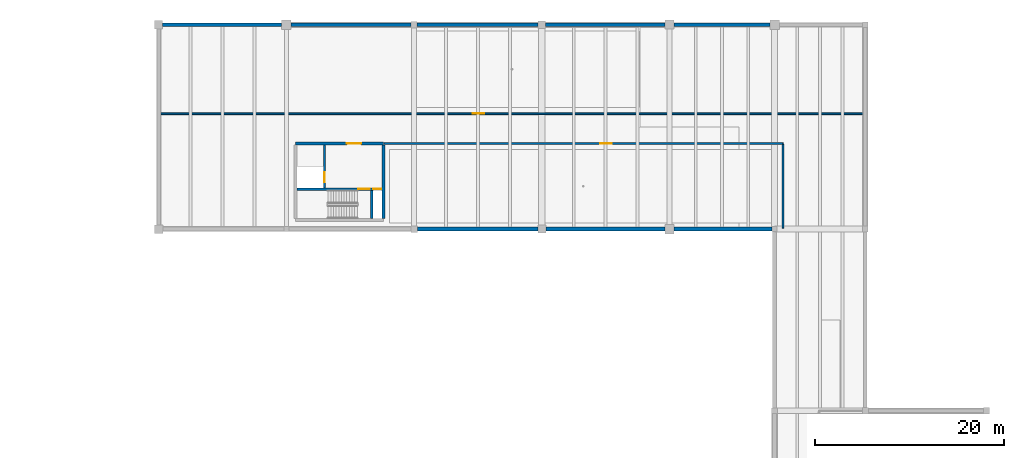
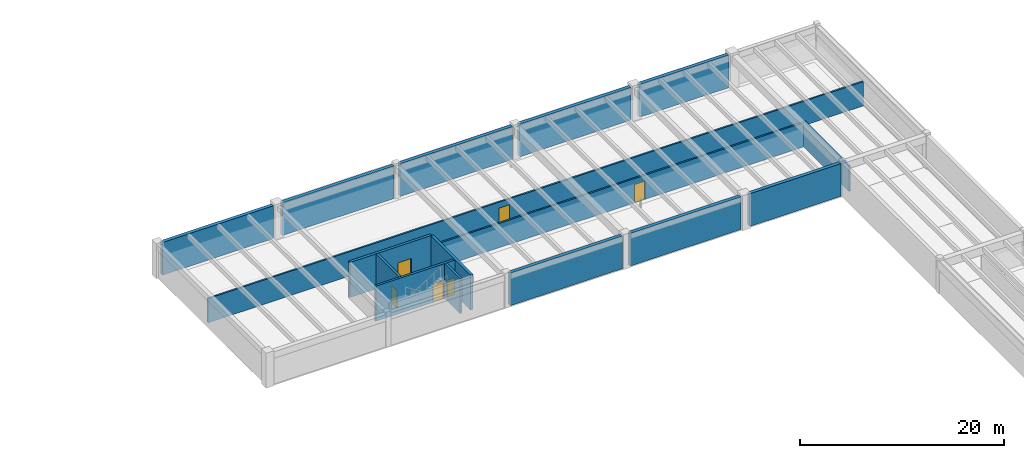
# One storey, part 13 of 28: 16 walls, 6 doors, 6 openings.
"""IFC4 building model written with IfcOpenShell, lengths in metres."""

from ifc_helpers import new_model, si_unit, direction, frame, frame_2d, origin, place, context, subcontext, project, spatial, rectangle, extrude, material, layer, layer_set, type_object, element, fill, save


model = new_model("IFC4")

# Units and contexts
model_context = context("Model", 3, precision=1e-05, world=origin(), true_north=direction((0.0, 1.0)))
body_context = subcontext(model_context, "Body", "Model", "MODEL_VIEW")
ifc_project = project(units=[si_unit("LENGTHUNIT", "METRE"), si_unit("AREAUNIT", "SQUARE_METRE"), si_unit("VOLUMEUNIT", "CUBIC_METRE"), si_unit("PLANEANGLEUNIT", "RADIAN"), si_unit("MASSUNIT", "GRAM", prefix="KILO")], contexts=[model_context])

# Site, building, storey
site_placement = place(None, origin())
site = spatial("IfcSite", under=ifc_project, at=site_placement, CompositionType="ELEMENT")
building_placement = place(site_placement, origin())
building = spatial("IfcBuilding", under=site, at=building_placement, Name="Fikremerkos Civic Library", CompositionType="ELEMENT")
storey_placement = place(building_placement, frame((0.0, 0.0, -4.199951171875)))
storey = spatial("IfcBuildingStorey", under=building, at=storey_placement, Name="B01", CompositionType="ELEMENT", Elevation=-4.199951171875)

# Walls
ifc_material_1 = material(Name="Concrete C40/50", Category="concrete")
ifc_layer_1 = layer(ifc_material_1, 0.39990234375, Name="Concrete C40/50")
ifc_layer_set_1 = layer_set([ifc_layer_1], Name="Concrete C40/50")
wall_type_1 = type_object("IfcWallType", Name="Basement retaining wall BRW-02 400", PredefinedType="USERDEFINED", material=ifc_layer_set_1)
wall_1_placement = place(storey_placement, frame((124.527099609375, 96.0, 0.0), z_axis=(0.0, 0.0, 1.0), x_axis=(-1.0, 0.0, 0.0)))
element("IfcWall", 1, at=wall_1_placement, inside=storey, type_object=wall_type_1, Name="Basement retaining wall BRW-02 B01 #119", ObjectType="RETAINING WALL", PredefinedType="USERDEFINED", context=body_context, shape_type="SweptSolid", body=[
    extrude(rectangle(XDim=10.3291015625, YDim=0.39990234375, at=frame_2d((5.16455078125, 0.0))), origin(), (0.0, 0.0, 1.0), 3.919921875),
])
wall_2_placement = place(storey_placement, frame((113.201904296875, 96.0, 0.0), z_axis=(0.0, 0.0, 1.0), x_axis=(-1.0, 0.0, 0.0)))
element("IfcWall", 2, at=wall_2_placement, inside=storey, type_object=wall_type_1, Name="Basement retaining wall BRW-02 B01 #120", ObjectType="RETAINING WALL", PredefinedType="USERDEFINED", context=body_context, shape_type="SweptSolid", body=[
    extrude(rectangle(XDim=12.578857421875, YDim=0.39990234375, at=frame_2d((6.28955078125, 0.0))), origin(), (0.0, 0.0, 1.0), 3.919921875),
])
wall_3_placement = place(storey_placement, frame((99.777099609375, 96.0, 0.0), z_axis=(0.0, 0.0, 1.0), x_axis=(-1.0, 0.0, 0.0)))
element("IfcWall", 3, at=wall_3_placement, inside=storey, type_object=wall_type_1, Name="Basement retaining wall BRW-02 B01 #121", ObjectType="RETAINING WALL", PredefinedType="USERDEFINED", context=body_context, shape_type="SweptSolid", body=[
    extrude(rectangle(XDim=12.72900390625, YDim=0.39990234375, at=frame_2d((6.364501953125, 0.0))), origin(), (0.0, 0.0, 1.0), 3.919921875),
])
wall_4_placement = place(storey_placement, frame((60.123046875, 117.60009765625, 0.0), z_axis=(0.0, 0.0, 1.0), x_axis=(1.0, 0.0, 0.0)))
element("IfcWall", 4, at=wall_4_placement, inside=storey, type_object=wall_type_1, Name="Basement retaining wall BRW-02 B01 #125", ObjectType="RETAINING WALL", PredefinedType="USERDEFINED", context=body_context, shape_type="SweptSolid", body=[
    extrude(rectangle(XDim=12.578857421875, YDim=0.39990234375, at=frame_2d((6.28955078125, 0.0))), origin(), (0.0, 0.0, 1.0), 3.919921875),
])
wall_5_placement = place(storey_placement, frame((73.697998046875, 117.60009765625, 0.0), z_axis=(0.0, 0.0, 1.0), x_axis=(1.0, 0.0, 0.0)))
element("IfcWall", 5, at=wall_5_placement, inside=storey, type_object=wall_type_1, Name="Basement retaining wall BRW-02 B01 #126", ObjectType="RETAINING WALL", PredefinedType="USERDEFINED", context=body_context, shape_type="SweptSolid", body=[
    extrude(rectangle(XDim=12.678955078125, YDim=0.39990234375, at=frame_2d((6.33935546875, 0.0))), origin(), (0.0, 0.0, 1.0), 3.919921875),
])
wall_6_placement = place(storey_placement, frame((87.02294921875, 117.60009765625, 0.0), z_axis=(0.0, 0.0, 1.0), x_axis=(1.0, 0.0, 0.0)))
element("IfcWall", 6, at=wall_6_placement, inside=storey, type_object=wall_type_1, Name="Basement retaining wall BRW-02 B01 #127", ObjectType="RETAINING WALL", PredefinedType="USERDEFINED", context=body_context, shape_type="SweptSolid", body=[
    extrude(rectangle(XDim=12.779052734375, YDim=0.39990234375, at=frame_2d((6.3896484375, 0.0))), origin(), (0.0, 0.0, 1.0), 3.919921875),
])
wall_7_placement = place(storey_placement, frame((100.597900390625, 117.60009765625, 0.0), z_axis=(0.0, 0.0, 1.0), x_axis=(1.0, 0.0, 0.0)))
element("IfcWall", 7, at=wall_7_placement, inside=storey, type_object=wall_type_1, Name="Basement retaining wall BRW-02 B01 #128", ObjectType="RETAINING WALL", PredefinedType="USERDEFINED", context=body_context, shape_type="SweptSolid", body=[
    extrude(rectangle(XDim=12.629150390625, YDim=0.39990234375, at=frame_2d((6.314453125, 0.0))), origin(), (0.0, 0.0, 1.0), 3.919921875),
])
wall_8_placement = place(storey_placement, frame((114.173095703125, 117.60009765625, 0.0), z_axis=(0.0, 0.0, 1.0), x_axis=(1.0, 0.0, 0.0)))
element("IfcWall", 8, at=wall_8_placement, inside=storey, type_object=wall_type_1, Name="Basement retaining wall BRW-02 B01 #129", ObjectType="RETAINING WALL", PredefinedType="USERDEFINED", context=body_context, shape_type="SweptSolid", body=[
    extrude(rectangle(XDim=10.12890625, YDim=0.39990234375, at=frame_2d((5.064453125, 0.0))), origin(), (0.0, 0.0, 1.0), 3.919921875),
])

# Wall, opening, door
ifc_layer_2 = layer(ifc_material_1, 0.300048828125, Name="Concrete C40/50")
ifc_layer_set_2 = layer_set([ifc_layer_2], Name="Concrete C40/50")
wall_type_2 = type_object("IfcWallType", Name="Core shear wall CSW-01 300", PredefinedType="SHEAR", material=ifc_layer_set_2)
wall_9_placement = place(storey_placement, frame((74.14990234375, 105.050048828125, 0.0), z_axis=(0.0, 0.0, 1.0), x_axis=(1.0, 0.0, 0.0)))
wall_9 = element("IfcWall", 9, at=wall_9_placement, inside=storey, type_object=wall_type_2, Name="Core K5 north shear wall B01", PredefinedType="SHEAR", context=body_context, shape_type="SweptSolid", body=[
    extrude(rectangle(XDim=9.300048828125, YDim=0.300048828125, at=frame_2d((4.64990234375, 0.0))), origin(), (0.0, 0.0, 1.0), 4.199951171875),
])
opening_1_placement = place(wall_9_placement, frame((5.449951171875, 0.0, 0.0)))
opening_1 = element("IfcOpeningElement", 10, at=opening_1_placement, cuts=wall_9, Name="Opening D119", PredefinedType="OPENING", context=body_context, shape_type="SweptSolid", body=[
    extrude(rectangle(XDim=1.5, YDim=2.25, at=frame_2d((0.75, 1.125))), frame((0.0, 0.159912109375, 0.0), z_axis=(0.0, -1.0, 0.0), x_axis=(1.0, 0.0, 0.0)), (0.0, 0.0, 1.0), 0.320068359375),
])
ifc_material_2 = material(Name="Hardwood timber and acoustic glass", Category="wood")
door_type_1 = type_object("IfcDoorType", Name="Pedestrian door DT-05 1500x2250", OperationType="NOTDEFINED", PredefinedType="DOOR", material=ifc_material_2)
door_1_placement = place(opening_1_placement, origin())
door_1 = element("IfcDoor", 11, at=door_1_placement, inside=storey, type_object=door_type_1, Name="Core K5 lobby fire door D119 B01", OperationType="SINGLE_SWING_LEFT", OverallHeight=2.25, OverallWidth=1.5, PredefinedType="DOOR", context=body_context, shape_type="SweptSolid", body=[
    extrude(rectangle(XDim=1.5, YDim=2.25, at=frame_2d((0.75, 1.125))), frame((0.0, 0.032470703125, 0.0), z_axis=(0.0, -1.0, 0.0), x_axis=(1.0, 0.0, 0.0)), (0.0, 0.0, 1.0), 0.06494140625),
])
fill(opening_1, door_1)

# Wall
wall_10_placement = place(storey_placement, frame((83.449951171875, 104.89794921875, 0.0), z_axis=(0.0, 0.0, 1.0), x_axis=(0.0, -1.0, 0.0)))
element("IfcWall", 12, at=wall_10_placement, inside=storey, type_object=wall_type_2, Name="Core K5 east shear wall B01", PredefinedType="SHEAR", context=body_context, shape_type="SweptSolid", body=[
    extrude(rectangle(XDim=7.7958984375, YDim=0.300048828125, at=frame_2d((3.89794921875, 0.0))), origin(), (0.0, 0.0, 1.0), 4.199951171875),
])

# Wall, openings, doors
ifc_layer_3 = layer(ifc_material_1, 0.260009765625, Name="Concrete C40/50")
ifc_layer_set_3 = layer_set([ifc_layer_3], Name="Concrete C40/50")
wall_type_3 = type_object("IfcWallType", Name="Core shear wall CSW-02 260", PredefinedType="SHEAR", material=ifc_layer_set_3)
wall_11_placement = place(storey_placement, frame((74.302001953125, 100.22998046875, 0.0), z_axis=(0.0, 0.0, 1.0), x_axis=(1.0, 0.0, 0.0)))
wall_11 = element("IfcWall", 13, at=wall_11_placement, inside=storey, type_object=wall_type_3, Name="Core K5 stair compartment wall B01", PredefinedType="SHEAR", context=body_context, shape_type="SweptSolid", body=[
    extrude(rectangle(XDim=8.99609375, YDim=0.260009765625, at=frame_2d((4.498046875, 0.0))), origin(), (0.0, 0.0, 1.0), 4.199951171875),
])
opening_2_placement = place(wall_11_placement, frame((6.498046875, 0.0, 0.0)))
opening_2 = element("IfcOpeningElement", 14, at=opening_2_placement, cuts=wall_11, Name="Opening D120", PredefinedType="OPENING", context=body_context, shape_type="SweptSolid", body=[
    extrude(rectangle(XDim=1.199951171875, YDim=2.199951171875, at=frame_2d((0.60009765625, 1.10009765625))), frame((0.0, 0.139892578125, 0.0), z_axis=(0.0, -1.0, 0.0), x_axis=(1.0, 0.0, 0.0)), (0.0, 0.0, 1.0), 0.280029296875),
])
opening_3_placement = place(wall_11_placement, frame((8.10302734375, 0.0, 0.0)))
opening_3 = element("IfcOpeningElement", 15, at=opening_3_placement, cuts=wall_11, Name="Opening D121", PredefinedType="OPENING", context=body_context, shape_type="SweptSolid", body=[
    extrude(rectangle(XDim=0.85009765625, YDim=2.050048828125, at=frame_2d((0.425048828125, 1.02490234375))), frame((0.0, 0.139892578125, 0.0), z_axis=(0.0, -1.0, 0.0), x_axis=(1.0, 0.0, 0.0)), (0.0, 0.0, 1.0), 0.280029296875),
])
door_type_2 = type_object("IfcDoorType", Name="Pedestrian door DT-06 1200x2200", OperationType="NOTDEFINED", PredefinedType="DOOR", material=ifc_material_2)
door_2_placement = place(opening_2_placement, origin())
door_2 = element("IfcDoor", 16, at=door_2_placement, inside=storey, type_object=door_type_2, Name="Core K5 stair fire door D120 B01", OperationType="SINGLE_SWING_LEFT", OverallHeight=2.199951171875, OverallWidth=1.199951171875, PredefinedType="DOOR", context=body_context, shape_type="SweptSolid", body=[
    extrude(rectangle(XDim=1.199951171875, YDim=2.199951171875, at=frame_2d((0.60009765625, 1.10009765625))), frame((0.0, 0.032470703125, 0.0), z_axis=(0.0, -1.0, 0.0), x_axis=(1.0, 0.0, 0.0)), (0.0, 0.0, 1.0), 0.06494140625),
])
fill(opening_2, door_2)
door_type_3 = type_object("IfcDoorType", Name="Pedestrian door DT-08 850x2050", OperationType="NOTDEFINED", PredefinedType="DOOR", material=ifc_material_2)
door_3_placement = place(opening_3_placement, origin())
door_3 = element("IfcDoor", 17, at=door_3_placement, inside=storey, type_object=door_type_3, Name="Core K5 riser access fire door D121 B01", OperationType="SINGLE_SWING_LEFT", OverallHeight=2.050048828125, OverallWidth=0.85009765625, PredefinedType="DOOR", context=body_context, shape_type="SweptSolid", body=[
    extrude(rectangle(XDim=0.85009765625, YDim=2.050048828125, at=frame_2d((0.425048828125, 1.02490234375))), frame((0.0, 0.032470703125, 0.0), z_axis=(0.0, -1.0, 0.0), x_axis=(1.0, 0.0, 0.0)), (0.0, 0.0, 1.0), 0.06494140625),
])
fill(opening_3, door_3)

# Wall
wall_12_placement = place(storey_placement, frame((82.22998046875, 97.10205078125, 0.0), z_axis=(0.0, 0.0, 1.0), x_axis=(0.0, 1.0, 0.0)))
element("IfcWall", 18, at=wall_12_placement, inside=storey, type_object=wall_type_3, Name="Core K5 stair-riser shear wall B01", PredefinedType="SHEAR", context=body_context, shape_type="SweptSolid", body=[
    extrude(rectangle(XDim=2.995849609375, YDim=0.260009765625, at=frame_2d((1.498046875, 0.0))), origin(), (0.0, 0.0, 1.0), 4.199951171875),
])

# Wall, opening, door
wall_13_placement = place(storey_placement, frame((77.22998046875, 100.362060546875, 0.0), z_axis=(0.0, 0.0, 1.0), x_axis=(0.0, 1.0, 0.0)))
wall_13 = element("IfcWall", 19, at=wall_13_placement, inside=storey, type_object=wall_type_3, Name="Core K5 lift shaft front wall B01", PredefinedType="SHEAR", context=body_context, shape_type="SweptSolid", body=[
    extrude(rectangle(XDim=4.535888671875, YDim=0.260009765625, at=frame_2d((2.26806640625, 0.0))), origin(), (0.0, 0.0, 1.0), 4.199951171875),
])
opening_4_placement = place(wall_13_placement, frame((0.568115234375, 0.0, 0.0)))
opening_4 = element("IfcOpeningElement", 20, at=opening_4_placement, cuts=wall_13, Name="Opening LD55", PredefinedType="OPENING", context=body_context, shape_type="SweptSolid", body=[
    extrude(rectangle(XDim=1.10009765625, YDim=2.14990234375, at=frame_2d((0.550048828125, 1.074951171875))), frame((0.0, 0.139892578125, 0.0), z_axis=(0.0, -1.0, 0.0), x_axis=(1.0, 0.0, 0.0)), (0.0, 0.0, 1.0), 0.280029296875),
])
ifc_material_3 = material(Name="Brushed stainless steel", Category="steel")
door_type_4 = type_object("IfcDoorType", Name="Lift landing door LDT-01 1100x2150", OperationType="NOTDEFINED", PredefinedType="DOOR", material=ifc_material_3)
door_4_placement = place(opening_4_placement, origin())
door_4 = element("IfcDoor", 21, at=door_4_placement, inside=storey, type_object=door_type_4, Name="Lift LF08 sliding landing door LD55 B01", OperationType="SLIDING_TO_LEFT", OverallHeight=2.14990234375, OverallWidth=1.10009765625, PredefinedType="DOOR", context=body_context, shape_type="SweptSolid", body=[
    extrude(rectangle(XDim=1.10009765625, YDim=2.14990234375, at=frame_2d((0.550048828125, 1.074951171875))), frame((0.0, 0.032470703125, 0.0), z_axis=(0.0, -1.0, 0.0), x_axis=(1.0, 0.0, 0.0)), (0.0, 0.0, 1.0), 0.06494140625),
])
fill(opening_4, door_4)

ifc_material_4 = material(Name="Acoustic concrete blockwork", Category="masonry")
ifc_layer_4 = layer(ifc_material_4, 0.18994140625, Name="Acoustic concrete blockwork")
ifc_layer_set_4 = layer_set([ifc_layer_4], Name="Acoustic concrete blockwork")
wall_type_4 = type_object("IfcWallType", Name="Interior partition wall IPW-01 190", PredefinedType="PARTITIONING", material=ifc_layer_set_4)
wall_14_placement = place(storey_placement, frame((59.903076171875, 108.199951171875, 0.0), z_axis=(0.0, 0.0, 1.0), x_axis=(1.0, 0.0, 0.0)))
wall_14 = element("IfcWall", 22, at=wall_14_placement, inside=storey, type_object=wall_type_4, Name="Interior wall IPW-01 B01 #50", PredefinedType="PARTITIONING", context=body_context, shape_type="SweptSolid", body=[
    extrude(rectangle(XDim=74.2939453125, YDim=0.18994140625, at=frame_2d((37.14697265625, 0.0))), origin(), (0.0, 0.0, 1.0), 2.909912109375),
])
opening_5_placement = place(wall_14_placement, frame((32.9970703125, 0.0, 0.0)))
opening_5 = element("IfcOpeningElement", 23, at=opening_5_placement, cuts=wall_14, Name="Opening D158", PredefinedType="OPENING", context=body_context, shape_type="SweptSolid", body=[
    extrude(rectangle(XDim=1.199951171875, YDim=2.199951171875, at=frame_2d((0.60009765625, 1.10009765625))), frame((0.0, 0.10498046875, 0.0), z_axis=(0.0, -1.0, 0.0), x_axis=(1.0, 0.0, 0.0)), (0.0, 0.0, 1.0), 0.2099609375),
])
door_5_placement = place(opening_5_placement, origin())
door_5 = element("IfcDoor", 24, at=door_5_placement, inside=storey, type_object=door_type_2, Name="Interior door D158 B01", OperationType="SINGLE_SWING_LEFT", OverallHeight=2.199951171875, OverallWidth=1.199951171875, PredefinedType="DOOR", context=body_context, shape_type="SweptSolid", body=[
    extrude(rectangle(XDim=1.199951171875, YDim=2.199951171875, at=frame_2d((0.60009765625, 1.10009765625))), frame((0.0, 0.032470703125, 0.0), z_axis=(0.0, -1.0, 0.0), x_axis=(1.0, 0.0, 0.0)), (0.0, 0.0, 1.0), 0.06494140625),
])
fill(opening_5, door_5)

wall_15_placement = place(storey_placement, frame((83.530029296875, 105.050048828125, 0.0), z_axis=(0.0, 0.0, 1.0), x_axis=(1.0, 0.0, 0.0)))
wall_15 = element("IfcWall", 25, at=wall_15_placement, inside=storey, type_object=wall_type_4, Name="Interior wall IPW-01 B01 #51", PredefinedType="PARTITIONING", context=body_context, shape_type="SweptSolid", body=[
    extrude(rectangle(XDim=42.169921875, YDim=0.18994140625, at=frame_2d((21.0849609375, 0.0))), origin(), (0.0, 0.0, 1.0), 2.909912109375),
])
opening_6_placement = place(wall_15_placement, frame((22.8701171875, 0.0, 0.0)))
opening_6 = element("IfcOpeningElement", 26, at=opening_6_placement, cuts=wall_15, Name="Opening D159", PredefinedType="OPENING", context=body_context, shape_type="SweptSolid", body=[
    extrude(rectangle(XDim=1.199951171875, YDim=2.199951171875, at=frame_2d((0.60009765625, 1.10009765625))), frame((0.0, 0.10498046875, 0.0), z_axis=(0.0, -1.0, 0.0), x_axis=(1.0, 0.0, 0.0)), (0.0, 0.0, 1.0), 0.2099609375),
])
door_6_placement = place(opening_6_placement, origin())
door_6 = element("IfcDoor", 27, at=door_6_placement, inside=storey, type_object=door_type_2, Name="Interior door D159 B01", OperationType="SINGLE_SWING_RIGHT", OverallHeight=2.199951171875, OverallWidth=1.199951171875, PredefinedType="DOOR", context=body_context, shape_type="SweptSolid", body=[
    extrude(rectangle(XDim=1.199951171875, YDim=2.199951171875, at=frame_2d((0.60009765625, 1.10009765625))), frame((0.0, 0.032470703125, 0.0), z_axis=(0.0, -1.0, 0.0), x_axis=(1.0, 0.0, 0.0)), (0.0, 0.0, 1.0), 0.06494140625),
])
fill(opening_6, door_6)

# Wall
wall_16_placement = place(storey_placement, frame((125.699951171875, 96.10498046875, 0.0), z_axis=(0.0, 0.0, 1.0), x_axis=(0.0, 1.0, 0.0)))
element("IfcWall", 28, at=wall_16_placement, inside=storey, type_object=wall_type_4, Name="Interior wall IPW-01 B01 #65", PredefinedType="PARTITIONING", context=body_context, shape_type="SweptSolid", body=[
    extrude(rectangle(XDim=8.840087890625, YDim=0.18994140625, at=frame_2d((4.419921875, 0.0))), origin(), (0.0, 0.0, 1.0), 3.06005859375),
])

save(model, "model.ifc")
